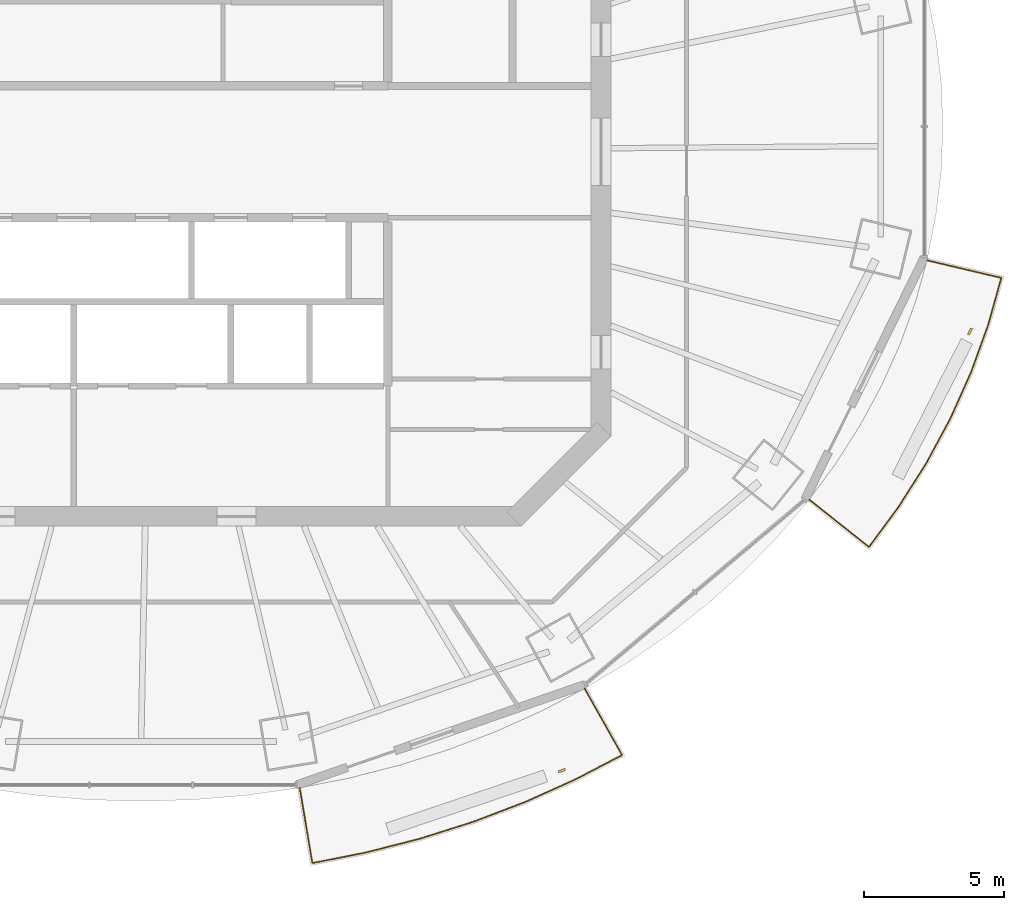
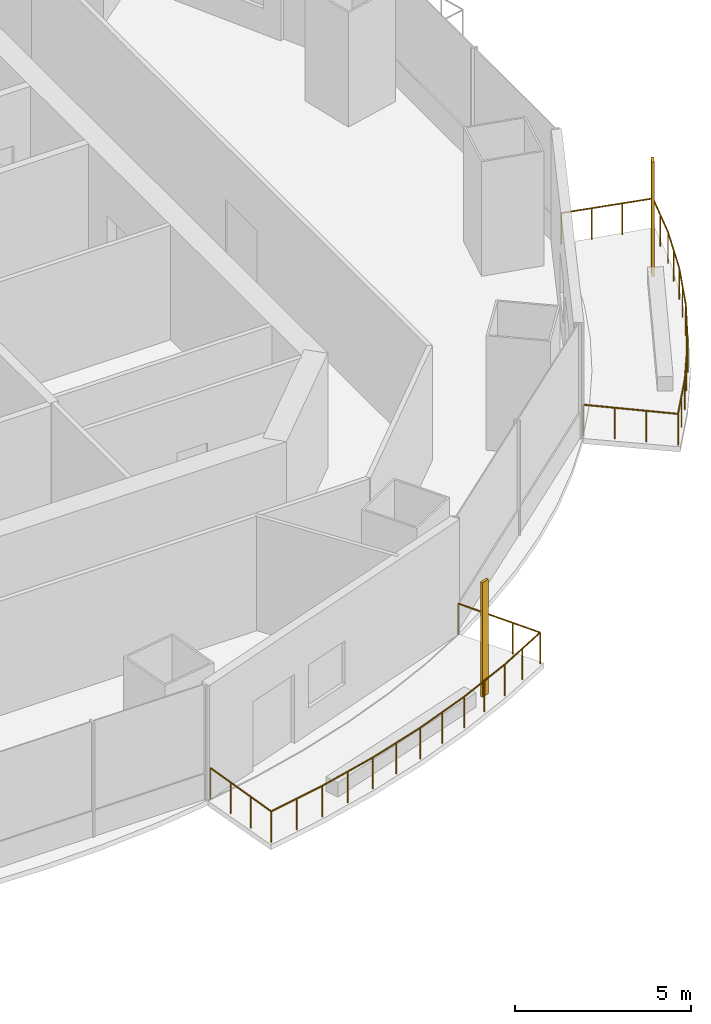
# One storey, part 13 of 16: 2 railings, 2 shading devices.
"""IFC4 building model written with IfcOpenShell, lengths in metres."""

from ifc_helpers import new_model, si_unit, direction, frame, origin, origin_2d, place, context, subcontext, project, spatial, rectangle, circle, extrude, material, material_profile, profile_set, type_object, element, save


model = new_model("IFC4")

# Units and contexts
model_context = context("Model", 3, precision=1e-05, world=origin(), true_north=direction((0.0, 1.0)))
body_context = subcontext(model_context, "Body", "Model", "MODEL_VIEW")
ifc_project = project(units=[si_unit("LENGTHUNIT", "METRE"), si_unit("AREAUNIT", "SQUARE_METRE"), si_unit("VOLUMEUNIT", "CUBIC_METRE"), si_unit("PLANEANGLEUNIT", "RADIAN"), si_unit("MASSUNIT", "GRAM", prefix="KILO")], contexts=[model_context])

# Site, building, storey
site_placement = place(None, origin())
site = spatial("IfcSite", under=ifc_project, at=site_placement, CompositionType="ELEMENT")
building_placement = place(site_placement, origin())
building = spatial("IfcBuilding", under=site, at=building_placement, Name="Marenthal Gate Tower", CompositionType="ELEMENT")
storey_placement = place(building_placement, frame((0.0, 0.0, 296.949951171875)))
storey = spatial("IfcBuildingStorey", under=building, at=storey_placement, Name="L66", CompositionType="ELEMENT", Elevation=296.949951171875)

# Railings
ifc_material_1 = material(Name="Stainless steel", Category="steel")
railing_type = type_object("IfcRailingType", Name="Balcony guard 1100", PredefinedType="GUARDRAIL", material=ifc_material_1)
railing_1_placement = place(storey_placement, frame((15.41748046875, -19.142822265625, 0.0)))
element("IfcRailing", 1, at=railing_1_placement, inside=storey, type_object=railing_type, Name="Balcony guard L66 bay 13", PredefinedType="GUARDRAIL", context=body_context, shape_type="SweptSolid", body=[
    extrude(circle(Radius=0.02392578125, at=origin_2d()), frame((0.0, 0.0, 1.076171875), z_axis=(0.490323175975, -0.871416385785, -0.01471956816), x_axis=(0.871510804143, 0.490376302712, 0.0)), (0.0, 0.0, 1.0), 2.72021484375),
    extrude(circle(Radius=0.02392578125, at=origin_2d()), frame((1.333740234375, -2.370361328125, 1.0361328125), z_axis=(-0.886619639625, -0.462499313113, 0.0), x_axis=(0.462499313113, -0.886619639625, 0.0)), (0.0, 0.0, 1.0), 1.87646484375),
    extrude(circle(Radius=0.02392578125, at=origin_2d()), frame((-0.330078125, -3.23828125, 1.0361328125), z_axis=(-0.912039734027, -0.410101845345, 0.0), x_axis=(0.410101845345, -0.912039734027, 0.0)), (0.0, 0.0, 1.0), 1.969970703125),
    extrude(circle(Radius=0.02392578125, at=origin_2d()), frame((-2.126708984375, -4.046142578125, 1.0361328125), z_axis=(-0.934386218754, -0.356261693426, 0.0), x_axis=(0.356261693426, -0.934386218754, 0.0)), (0.0, 0.0, 1.0), 1.98193359375),
    extrude(circle(Radius=0.02392578125, at=origin_2d()), frame((-3.978515625, -4.752197265625, 1.0361328125), z_axis=(-0.953365734412, -0.301817455508, 0.0), x_axis=(0.301817455508, -0.953365734412, 0.0)), (0.0, 0.0, 1.0), 1.992431640625),
    extrude(circle(Radius=0.02392578125, at=origin_2d()), frame((-5.8779296875, -5.353515625, 1.0361328125), z_axis=(-0.968932635782, -0.24732478104, 0.0), x_axis=(0.24732478104, -0.968932635782, 0.0)), (0.0, 0.0, 1.0), 2.001953125),
    extrude(circle(Radius=0.02392578125, at=origin_2d()), frame((-7.817626953125, -5.8486328125, 1.0361328125), z_axis=(-0.981054729466, -0.193730786897, 0.0), x_axis=(0.193730786897, -0.981054729466, 0.0)), (0.0, 0.0, 1.0), 1.929443359375),
    extrude(circle(Radius=0.02392578125, at=origin_2d()), frame((-9.71044921875, -6.222412109375, 1.0361328125), z_axis=(-0.16513793129, 0.986160646201, 0.014718815615), x_axis=(-0.986267486225, -0.165155822229, 0.0)), (0.0, 0.0, 1.0), 2.72021484375),
    extrude(circle(Radius=0.02099609375, at=origin_2d()), origin(), (0.0, 0.0, 1.0), 1.052001953125),
    extrude(circle(Radius=0.02099609375, at=origin_2d()), frame((0.444580078125, -0.7900390625, -0.013427734375)), (0.0, 0.0, 1.0), 1.052001953125),
    extrude(circle(Radius=0.02099609375, at=origin_2d()), frame((0.88916015625, -1.580322265625, -0.026611328125)), (0.0, 0.0, 1.0), 1.052001953125),
    extrude(circle(Radius=0.02099609375, at=origin_2d()), frame((1.333740234375, -2.370361328125, -0.0400390625)), (0.0, 0.0, 1.0), 1.052001953125),
    extrude(circle(Radius=0.02099609375, at=origin_2d()), frame((0.501953125, -2.80419921875, -0.0400390625)), (0.0, 0.0, 1.0), 1.052001953125),
    extrude(circle(Radius=0.02099609375, at=origin_2d()), frame((-0.330078125, -3.23828125, -0.0400390625)), (0.0, 0.0, 1.0), 1.052001953125),
    extrude(circle(Radius=0.02099609375, at=origin_2d()), frame((-1.228515625, -3.64208984375, -0.0400390625)), (0.0, 0.0, 1.0), 1.052001953125),
    extrude(circle(Radius=0.02099609375, at=origin_2d()), frame((-2.126708984375, -4.046142578125, -0.0400390625)), (0.0, 0.0, 1.0), 1.052001953125),
    extrude(circle(Radius=0.02099609375, at=origin_2d()), frame((-3.052734375, -4.399169921875, -0.0400390625)), (0.0, 0.0, 1.0), 1.052001953125),
    extrude(circle(Radius=0.02099609375, at=origin_2d()), frame((-3.978515625, -4.752197265625, -0.0400390625)), (0.0, 0.0, 1.0), 1.052001953125),
    extrude(circle(Radius=0.02099609375, at=origin_2d()), frame((-4.92822265625, -5.052734375, -0.0400390625)), (0.0, 0.0, 1.0), 1.052001953125),
    extrude(circle(Radius=0.02099609375, at=origin_2d()), frame((-5.8779296875, -5.353515625, -0.0400390625)), (0.0, 0.0, 1.0), 1.052001953125),
    extrude(circle(Radius=0.02099609375, at=origin_2d()), frame((-6.84765625, -5.60107421875, -0.0400390625)), (0.0, 0.0, 1.0), 1.052001953125),
    extrude(circle(Radius=0.02099609375, at=origin_2d()), frame((-7.817626953125, -5.8486328125, -0.0400390625)), (0.0, 0.0, 1.0), 1.052001953125),
    extrude(circle(Radius=0.02099609375, at=origin_2d()), frame((-8.76416015625, -6.03564453125, -0.0400390625)), (0.0, 0.0, 1.0), 1.052001953125),
    extrude(circle(Radius=0.02099609375, at=origin_2d()), frame((-9.71044921875, -6.222412109375, -0.0400390625)), (0.0, 0.0, 1.0), 1.052001953125),
    extrude(circle(Radius=0.02099609375, at=origin_2d()), frame((-9.860107421875, -5.328125, -0.026611328125)), (0.0, 0.0, 1.0), 1.052001953125),
    extrude(circle(Radius=0.02099609375, at=origin_2d()), frame((-10.010009765625, -4.43408203125, -0.013427734375)), (0.0, 0.0, 1.0), 1.052001953125),
    extrude(circle(Radius=0.02099609375, at=origin_2d()), frame((-10.15966796875, -3.539794921875, 0.0)), (0.0, 0.0, 1.0), 1.052001953125),
])
railing_2_placement = place(storey_placement, frame((27.628173828125, -3.871337890625, 0.0)))
element("IfcRailing", 2, at=railing_2_placement, inside=storey, type_object=railing_type, Name="Balcony guard L66 bay 15", PredefinedType="GUARDRAIL", context=body_context, shape_type="SweptSolid", body=[
    extrude(circle(Radius=0.02392578125, at=origin_2d()), frame((0.0, 0.0, 1.076171875), z_axis=(0.973112411133, -0.229859886083, -0.014719649089), x_axis=(0.229884791779, 0.973217849461, 0.0)), (0.0, 0.0, 1.0), 2.72021484375),
    extrude(circle(Radius=0.02392578125, at=origin_2d()), frame((2.64697265625, -0.625244140625, 1.0361328125), z_axis=(-0.268728447288, -0.963215978698, 0.0), x_axis=(0.963215978698, -0.268728447288, 0.0)), (0.0, 0.0, 1.0), 1.718017578125),
    extrude(circle(Radius=0.02392578125, at=origin_2d()), frame((2.185302734375, -2.280029296875, 1.0361328125), z_axis=(-0.33909288178, -0.940752899292, 0.0), x_axis=(0.940752899292, -0.33909288178, 0.0)), (0.0, 0.0, 1.0), 1.8056640625),
    extrude(circle(Radius=0.02392578125, at=origin_2d()), frame((1.572998046875, -3.978759765625, 1.0361328125), z_axis=(-0.408333619035, -0.912832764292, 0.0), x_axis=(0.912832764292, -0.408333619035, 0.0)), (0.0, 0.0, 1.0), 1.815185546875),
    extrude(circle(Radius=0.02392578125, at=origin_2d()), frame((0.831787109375, -5.6357421875, 1.0361328125), z_axis=(-0.474067933151, -0.880488270653, 0.0), x_axis=(0.880488270653, -0.474067933151, 0.0)), (0.0, 0.0, 1.0), 1.826171875),
    extrude(circle(Radius=0.02392578125, at=origin_2d()), frame((-0.033935546875, -7.24365234375, 1.0361328125), z_axis=(-0.536179368299, -0.844104072381, 0.0), x_axis=(0.844104072381, -0.536179368299, 0.0)), (0.0, 0.0, 1.0), 1.838623046875),
    extrude(circle(Radius=0.02392578125, at=origin_2d()), frame((-1.019775390625, -8.795654296875, 1.0361328125), z_axis=(-0.59310034369, -0.80512855018, 0.0), x_axis=(0.80512855018, -0.59310034369, 0.0)), (0.0, 0.0, 1.0), 1.77197265625),
    extrude(circle(Radius=0.02392578125, at=origin_2d()), frame((-2.07080078125, -10.222412109375, 1.0361328125), z_axis=(-0.783334446315, 0.62142618083, 0.014718933226), x_axis=(-0.621493506827, -0.783419313632, 0.0)), (0.0, 0.0, 1.0), 2.72021484375),
    extrude(circle(Radius=0.02099609375, at=origin_2d()), origin(), (0.0, 0.0, 1.0), 1.052001953125),
    extrude(circle(Radius=0.02099609375, at=origin_2d()), frame((0.88232421875, -0.20849609375, -0.013427734375)), (0.0, 0.0, 1.0), 1.052001953125),
    extrude(circle(Radius=0.02099609375, at=origin_2d()), frame((1.7646484375, -0.416748046875, -0.026611328125)), (0.0, 0.0, 1.0), 1.052001953125),
    extrude(circle(Radius=0.02099609375, at=origin_2d()), frame((2.64697265625, -0.625244140625, -0.0400390625)), (0.0, 0.0, 1.0), 1.052001953125),
    extrude(circle(Radius=0.02099609375, at=origin_2d()), frame((2.416015625, -1.45263671875, -0.0400390625)), (0.0, 0.0, 1.0), 1.052001953125),
    extrude(circle(Radius=0.02099609375, at=origin_2d()), frame((2.185302734375, -2.280029296875, -0.0400390625)), (0.0, 0.0, 1.0), 1.052001953125),
    extrude(circle(Radius=0.02099609375, at=origin_2d()), frame((1.879150390625, -3.12939453125, -0.0400390625)), (0.0, 0.0, 1.0), 1.052001953125),
    extrude(circle(Radius=0.02099609375, at=origin_2d()), frame((1.572998046875, -3.978759765625, -0.0400390625)), (0.0, 0.0, 1.0), 1.052001953125),
    extrude(circle(Radius=0.02099609375, at=origin_2d()), frame((1.202392578125, -4.80712890625, -0.0400390625)), (0.0, 0.0, 1.0), 1.052001953125),
    extrude(circle(Radius=0.02099609375, at=origin_2d()), frame((0.831787109375, -5.6357421875, -0.0400390625)), (0.0, 0.0, 1.0), 1.052001953125),
    extrude(circle(Radius=0.02099609375, at=origin_2d()), frame((0.39892578125, -6.439697265625, -0.0400390625)), (0.0, 0.0, 1.0), 1.052001953125),
    extrude(circle(Radius=0.02099609375, at=origin_2d()), frame((-0.033935546875, -7.24365234375, -0.0400390625)), (0.0, 0.0, 1.0), 1.052001953125),
    extrude(circle(Radius=0.02099609375, at=origin_2d()), frame((-0.52685546875, -8.01953125, -0.0400390625)), (0.0, 0.0, 1.0), 1.052001953125),
    extrude(circle(Radius=0.02099609375, at=origin_2d()), frame((-1.019775390625, -8.795654296875, -0.0400390625)), (0.0, 0.0, 1.0), 1.052001953125),
    extrude(circle(Radius=0.02099609375, at=origin_2d()), frame((-1.54541015625, -9.509033203125, -0.0400390625)), (0.0, 0.0, 1.0), 1.052001953125),
    extrude(circle(Radius=0.02099609375, at=origin_2d()), frame((-2.07080078125, -10.222412109375, -0.0400390625)), (0.0, 0.0, 1.0), 1.052001953125),
    extrude(circle(Radius=0.02099609375, at=origin_2d()), frame((-2.781005859375, -9.658935546875, -0.026611328125)), (0.0, 0.0, 1.0), 1.052001953125),
    extrude(circle(Radius=0.02099609375, at=origin_2d()), frame((-3.491455078125, -9.095458984375, -0.013427734375)), (0.0, 0.0, 1.0), 1.052001953125),
    extrude(circle(Radius=0.02099609375, at=origin_2d()), frame((-4.20166015625, -8.531982421875, 0.0)), (0.0, 0.0, 1.0), 1.052001953125),
])

# Shading devices
ifc_material_2 = material(Name="Terracotta", Category="masonry")
ifc_material_profile = material_profile(ifc_material_2, rectangle(XDim=0.25, YDim=0.080078125, at=origin_2d()), Name="Terracotta baguette 250x80")
ifc_profile_set = profile_set([ifc_material_profile], Name="Terracotta")
shading_device_type = type_object("IfcShadingDeviceType", Name="Terracotta BAGUETTE SCREEN 250x80", PredefinedType="USERDEFINED", material=ifc_profile_set)
for number, where, z_axis, x_axis, name in (
    (3, (14.60498046875, -22.066162109375, -0.0400390625), (0.0, 0.0, 1.0), (0.944279584145, 0.329144446962, 0.0), "Terracotta BAGUETTE L66 bay 13R"),
    (4, (29.1611328125, -6.410888671875, -0.0400390625), (0.0, 0.0, 1.0), (0.441623511691, 0.897200464735, 0.0), "Terracotta BAGUETTE L66 bay 15R"),
):
    element("IfcShadingDevice", number, at=place(storey_placement, frame(where, z_axis=z_axis, x_axis=x_axis)), inside=storey, type_object=shading_device_type, Name=name, ObjectType="BAGUETTE SCREEN", PredefinedType="USERDEFINED", context=body_context, shape_type="SweptSolid", body=[
        extrude(rectangle(XDim=0.25, YDim=0.080078125, at=origin_2d()), origin(), (0.0, 0.0, 1.0), 3.969970703125),
    ])

save(model, "model.ifc")
